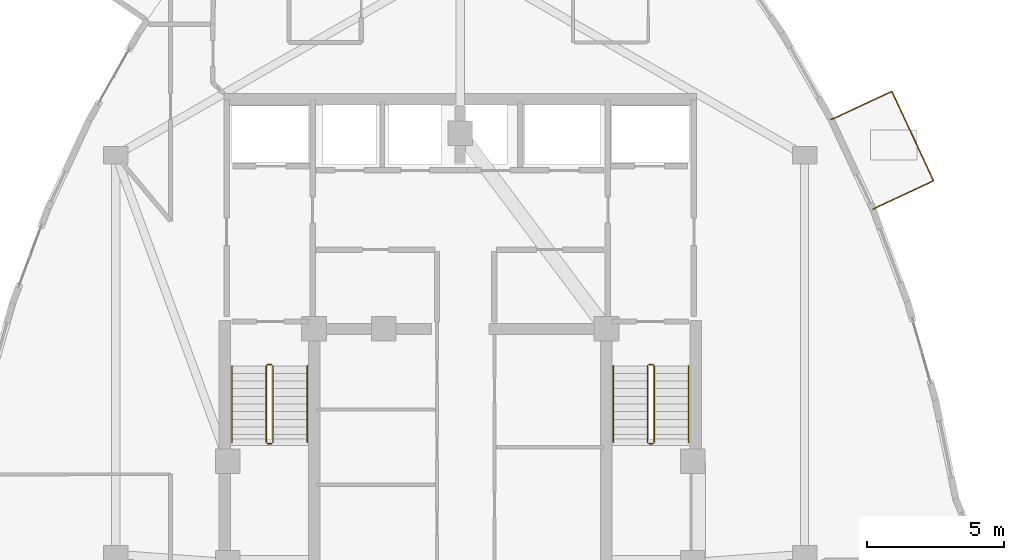
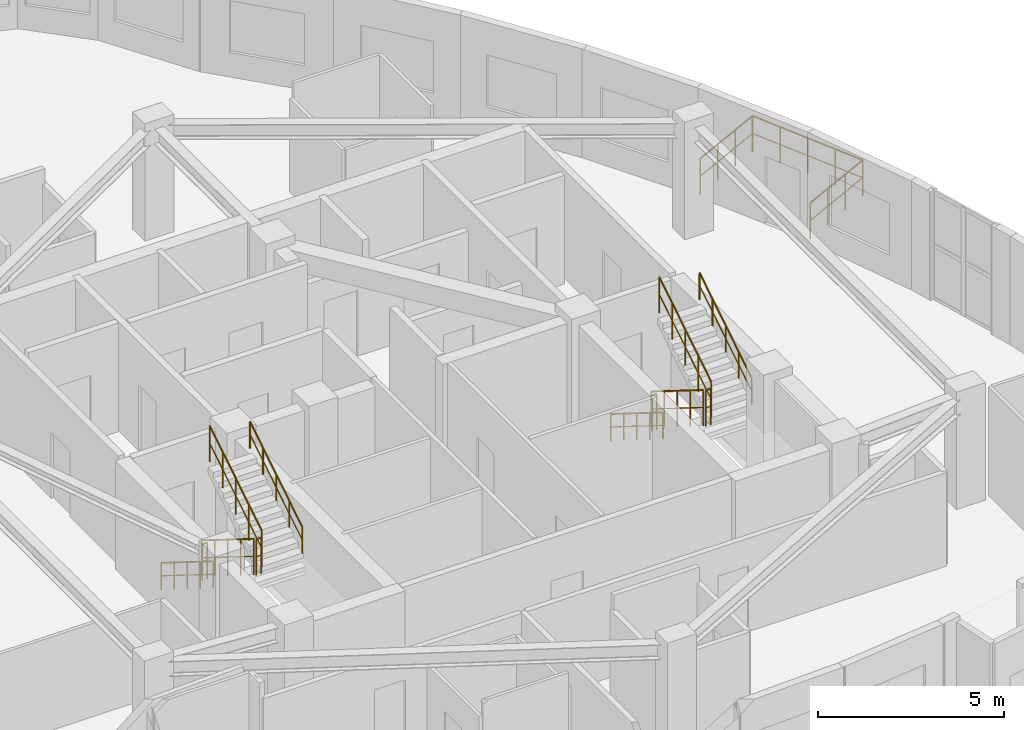
# One storey, part 16 of 16: 13 railings.
"""IFC4 building model written with IfcOpenShell, lengths in metres."""

from ifc_helpers import new_model, si_unit, direction, frame, origin, origin_2d, place, context, subcontext, project, spatial, circle, extrude, material, type_object, element, save


model = new_model("IFC4")

# Units and contexts
model_context = context("Model", 3, precision=1e-05, world=origin(), true_north=direction((0.0, 1.0)))
body_context = subcontext(model_context, "Body", "Model", "MODEL_VIEW")
ifc_project = project(units=[si_unit("LENGTHUNIT", "METRE"), si_unit("AREAUNIT", "SQUARE_METRE"), si_unit("VOLUMEUNIT", "CUBIC_METRE"), si_unit("PLANEANGLEUNIT", "RADIAN"), si_unit("MASSUNIT", "GRAM", prefix="KILO")], contexts=[model_context])

# Site, building, storey
site_placement = place(None, origin())
site = spatial("IfcSite", under=ifc_project, at=site_placement, CompositionType="ELEMENT")
building_placement = place(site_placement, origin())
building = spatial("IfcBuilding", under=site, at=building_placement, Name="Miruveldt Soraemaru", CompositionType="ELEMENT")
storey_placement = place(building_placement, frame((0.0, 0.0, 271.25)))
storey = spatial("IfcBuildingStorey", under=building, at=storey_placement, Name="L74", CompositionType="ELEMENT", Elevation=271.25)

# Railings
ifc_material_1 = material(Name="Anodised aluminium EN AW-6063 T6", Category="aluminium")
railing_type_1 = type_object("IfcRailingType", Name="RAIL-BAL-1200", PredefinedType="BALUSTRADE", material=ifc_material_1)
railing_1_placement = place(storey_placement, frame((59.098388671875, 48.430908203125, 0.0)))
element("IfcRailing", 1, at=railing_1_placement, inside=storey, type_object=railing_type_1, Name="L74 Sky Garden Deck Guardrail", PredefinedType="BALUSTRADE", context=body_context, shape_type="SweptSolid", body=[
    extrude(circle(Radius=0.02392578125, at=origin_2d()), frame((0.0, 0.0, 1.17578125), z_axis=(0.906460420415, 0.422290783964, 0.0), x_axis=(-0.422290783964, 0.906460420415, 0.0)), (0.0, 0.0, 1.0), 2.4501953125),
    extrude(circle(Radius=0.01611328125, at=origin_2d()), frame((0.0, 0.0, 0.60009765625), z_axis=(0.906460420415, 0.422290783964, 0.0), x_axis=(-0.422290783964, 0.906460420415, 0.0)), (0.0, 0.0, 1.0), 2.4501953125),
    extrude(circle(Radius=0.02392578125, at=origin_2d()), frame((2.220947265625, 1.03466796875, 1.17578125), z_axis=(-0.422289948012, 0.906460809858, 0.0), x_axis=(-0.906460809858, -0.422289948012, 0.0)), (0.0, 0.0, 1.0), 3.614013671875),
    extrude(circle(Radius=0.01611328125, at=origin_2d()), frame((2.220947265625, 1.03466796875, 0.60009765625), z_axis=(-0.422289948012, 0.906460809858, 0.0), x_axis=(-0.906460809858, -0.422289948012, 0.0)), (0.0, 0.0, 1.0), 3.614013671875),
    extrude(circle(Radius=0.02392578125, at=origin_2d()), frame((0.69482421875, 4.310546875, 1.17578125), z_axis=(-0.906442648563, -0.422328929706, 0.0), x_axis=(0.422328929706, -0.906442648563, 0.0)), (0.0, 0.0, 1.0), 2.449951171875),
    extrude(circle(Radius=0.01611328125, at=origin_2d()), frame((0.69482421875, 4.310546875, 0.60009765625), z_axis=(-0.906442648563, -0.422328929706, 0.0), x_axis=(0.422328929706, -0.906442648563, 0.0)), (0.0, 0.0, 1.0), 2.449951171875),
    extrude(circle(Radius=0.02099609375, at=origin_2d()), origin(), (0.0, 0.0, 1.0), 1.15185546875),
    extrude(circle(Radius=0.02099609375, at=origin_2d()), frame((0.740234375, 0.344970703125, 0.0)), (0.0, 0.0, 1.0), 1.15185546875),
    extrude(circle(Radius=0.02099609375, at=origin_2d()), frame((1.480712890625, 0.689697265625, 0.0)), (0.0, 0.0, 1.0), 1.15185546875),
    extrude(circle(Radius=0.02099609375, at=origin_2d()), frame((2.220947265625, 1.03466796875, 0.0)), (0.0, 0.0, 1.0), 1.15185546875),
    extrude(circle(Radius=0.02099609375, at=origin_2d()), frame((1.83935546875, 1.853515625, 0.0)), (0.0, 0.0, 1.0), 1.15185546875),
    extrude(circle(Radius=0.02099609375, at=origin_2d()), frame((1.4580078125, 2.672607421875, 0.0)), (0.0, 0.0, 1.0), 1.15185546875),
    extrude(circle(Radius=0.02099609375, at=origin_2d()), frame((1.076416015625, 3.49169921875, 0.0)), (0.0, 0.0, 1.0), 1.15185546875),
    extrude(circle(Radius=0.02099609375, at=origin_2d()), frame((0.69482421875, 4.310546875, 0.0)), (0.0, 0.0, 1.0), 1.15185546875),
    extrude(circle(Radius=0.02099609375, at=origin_2d()), frame((-0.04541015625, 3.965576171875, 0.0)), (0.0, 0.0, 1.0), 1.15185546875),
    extrude(circle(Radius=0.02099609375, at=origin_2d()), frame((-0.78564453125, 3.620849609375, 0.0)), (0.0, 0.0, 1.0), 1.15185546875),
    extrude(circle(Radius=0.02099609375, at=origin_2d()), frame((-1.52587890625, 3.27587890625, 0.0)), (0.0, 0.0, 1.0), 1.15185546875),
])
ifc_material_2 = material(Name="Steel S355 (355 MPa)", Category="steel")
railing_type_2 = type_object("IfcRailingType", Name="RAIL-HR-900", PredefinedType="HANDRAIL", material=ifc_material_2)
railing_2_placement = place(storey_placement, frame((35.64990234375, 42.699951171875, 0.175048828125)))
element("IfcRailing", 2, at=railing_2_placement, inside=storey, type_object=railing_type_2, Name="L74 ST-1 stair handrail 1", PredefinedType="HANDRAIL", context=body_context, shape_type="SweptSolid", body=[
    extrude(circle(Radius=0.02392578125, at=origin_2d()), frame((0.0, 0.0, 0.8759765625), z_axis=(0.0, -0.848002457836, 0.529992293815), x_axis=(1.0, 0.0, 0.0)), (0.0, 0.0, 1.0), 3.302001953125),
    extrude(circle(Radius=0.01611328125, at=origin_2d()), frame((0.0, 0.0, 0.449951171875), z_axis=(0.0, -0.848002457836, 0.529992293815), x_axis=(1.0, 0.0, 0.0)), (0.0, 0.0, 1.0), 3.302001953125),
    extrude(circle(Radius=0.02099609375, at=origin_2d()), origin(), (0.0, 0.0, 1.0), 0.851806640625),
    extrude(circle(Radius=0.02099609375, at=origin_2d()), frame((0.0, -0.699951171875, 0.4375)), (0.0, 0.0, 1.0), 0.851806640625),
    extrude(circle(Radius=0.02099609375, at=origin_2d()), frame((0.0, -1.39990234375, 0.875)), (0.0, 0.0, 1.0), 0.851806640625),
    extrude(circle(Radius=0.02099609375, at=origin_2d()), frame((0.0, -2.10009765625, 1.3125)), (0.0, 0.0, 1.0), 0.851806640625),
    extrude(circle(Radius=0.02099609375, at=origin_2d()), frame((0.0, -2.800048828125, 1.75)), (0.0, 0.0, 1.0), 0.851806640625),
])
railing_3_placement = place(storey_placement, frame((38.39990234375, 39.89990234375, 2.10009765625)))
element("IfcRailing", 3, at=railing_3_placement, inside=storey, type_object=railing_type_2, Name="L74 ST-1 stair handrail 2", PredefinedType="HANDRAIL", context=body_context, shape_type="SweptSolid", body=[
    extrude(circle(Radius=0.02392578125, at=origin_2d()), frame((0.0, 0.0, 0.8759765625), z_axis=(0.0, 0.848002457836, 0.529992293815), x_axis=(-1.0, 0.0, 0.0)), (0.0, 0.0, 1.0), 3.302001953125),
    extrude(circle(Radius=0.01611328125, at=origin_2d()), frame((0.0, 0.0, 0.449951171875), z_axis=(0.0, 0.848002457836, 0.529992293815), x_axis=(-1.0, 0.0, 0.0)), (0.0, 0.0, 1.0), 3.302001953125),
    extrude(circle(Radius=0.02099609375, at=origin_2d()), origin(), (0.0, 0.0, 1.0), 0.851806640625),
    extrude(circle(Radius=0.02099609375, at=origin_2d()), frame((0.0, 0.699951171875, 0.4375)), (0.0, 0.0, 1.0), 0.851806640625),
    extrude(circle(Radius=0.02099609375, at=origin_2d()), frame((0.0, 1.39990234375, 0.875)), (0.0, 0.0, 1.0), 0.851806640625),
    extrude(circle(Radius=0.02099609375, at=origin_2d()), frame((0.0, 2.10009765625, 1.3125)), (0.0, 0.0, 1.0), 0.851806640625),
    extrude(circle(Radius=0.02099609375, at=origin_2d()), frame((0.0, 2.800048828125, 1.75)), (0.0, 0.0, 1.0), 0.851806640625),
])
railing_4_placement = place(storey_placement, frame((49.60009765625, 42.699951171875, 0.175048828125)))
element("IfcRailing", 4, at=railing_4_placement, inside=storey, type_object=railing_type_2, Name="L74 ST-2 stair handrail 1", PredefinedType="HANDRAIL", context=body_context, shape_type="SweptSolid", body=[
    extrude(circle(Radius=0.02392578125, at=origin_2d()), frame((0.0, 0.0, 0.8759765625), z_axis=(0.0, -0.848002457836, 0.529992293815), x_axis=(1.0, 0.0, 0.0)), (0.0, 0.0, 1.0), 3.302001953125),
    extrude(circle(Radius=0.01611328125, at=origin_2d()), frame((0.0, 0.0, 0.449951171875), z_axis=(0.0, -0.848002457836, 0.529992293815), x_axis=(1.0, 0.0, 0.0)), (0.0, 0.0, 1.0), 3.302001953125),
    extrude(circle(Radius=0.02099609375, at=origin_2d()), origin(), (0.0, 0.0, 1.0), 0.851806640625),
    extrude(circle(Radius=0.02099609375, at=origin_2d()), frame((0.0, -0.699951171875, 0.4375)), (0.0, 0.0, 1.0), 0.851806640625),
    extrude(circle(Radius=0.02099609375, at=origin_2d()), frame((0.0, -1.39990234375, 0.875)), (0.0, 0.0, 1.0), 0.851806640625),
    extrude(circle(Radius=0.02099609375, at=origin_2d()), frame((0.0, -2.10009765625, 1.3125)), (0.0, 0.0, 1.0), 0.851806640625),
    extrude(circle(Radius=0.02099609375, at=origin_2d()), frame((0.0, -2.800048828125, 1.75)), (0.0, 0.0, 1.0), 0.851806640625),
])
railing_5_placement = place(storey_placement, frame((52.35009765625, 39.89990234375, 2.10009765625)))
element("IfcRailing", 5, at=railing_5_placement, inside=storey, type_object=railing_type_2, Name="L74 ST-2 stair handrail 2", PredefinedType="HANDRAIL", context=body_context, shape_type="SweptSolid", body=[
    extrude(circle(Radius=0.02392578125, at=origin_2d()), frame((0.0, 0.0, 0.8759765625), z_axis=(0.0, 0.848002457836, 0.529992293815), x_axis=(-1.0, 0.0, 0.0)), (0.0, 0.0, 1.0), 3.302001953125),
    extrude(circle(Radius=0.01611328125, at=origin_2d()), frame((0.0, 0.0, 0.449951171875), z_axis=(0.0, 0.848002457836, 0.529992293815), x_axis=(-1.0, 0.0, 0.0)), (0.0, 0.0, 1.0), 3.302001953125),
    extrude(circle(Radius=0.02099609375, at=origin_2d()), origin(), (0.0, 0.0, 1.0), 0.851806640625),
    extrude(circle(Radius=0.02099609375, at=origin_2d()), frame((0.0, 0.699951171875, 0.4375)), (0.0, 0.0, 1.0), 0.851806640625),
    extrude(circle(Radius=0.02099609375, at=origin_2d()), frame((0.0, 1.39990234375, 0.875)), (0.0, 0.0, 1.0), 0.851806640625),
    extrude(circle(Radius=0.02099609375, at=origin_2d()), frame((0.0, 2.10009765625, 1.3125)), (0.0, 0.0, 1.0), 0.851806640625),
    extrude(circle(Radius=0.02099609375, at=origin_2d()), frame((0.0, 2.800048828125, 1.75)), (0.0, 0.0, 1.0), 0.851806640625),
])
railing_type_3 = type_object("IfcRailingType", Name="RAIL-STGUARD-1200", PredefinedType="GUARDRAIL", material=ifc_material_2)
railing_6_placement = place(storey_placement, frame((36.89990234375, 42.699951171875, 0.175048828125)))
element("IfcRailing", 6, at=railing_6_placement, inside=storey, type_object=railing_type_3, Name="L74 ST-1 stair guard 1", PredefinedType="GUARDRAIL", context=body_context, shape_type="SweptSolid", body=[
    extrude(circle(Radius=0.02392578125, at=origin_2d()), frame((0.0, 0.0, 1.17578125), z_axis=(0.0, -0.848002457836, 0.529992293815), x_axis=(1.0, 0.0, 0.0)), (0.0, 0.0, 1.0), 3.302001953125),
    extrude(circle(Radius=0.01611328125, at=origin_2d()), frame((0.0, 0.0, 0.60009765625), z_axis=(0.0, -0.848002457836, 0.529992293815), x_axis=(1.0, 0.0, 0.0)), (0.0, 0.0, 1.0), 3.302001953125),
    extrude(circle(Radius=0.02099609375, at=origin_2d()), origin(), (0.0, 0.0, 1.0), 1.15185546875),
    extrude(circle(Radius=0.02099609375, at=origin_2d()), frame((0.0, -0.699951171875, 0.4375)), (0.0, 0.0, 1.0), 1.15185546875),
    extrude(circle(Radius=0.02099609375, at=origin_2d()), frame((0.0, -1.39990234375, 0.875)), (0.0, 0.0, 1.0), 1.15185546875),
    extrude(circle(Radius=0.02099609375, at=origin_2d()), frame((0.0, -2.10009765625, 1.3125)), (0.0, 0.0, 1.0), 1.15185546875),
    extrude(circle(Radius=0.02099609375, at=origin_2d()), frame((0.0, -2.800048828125, 1.75)), (0.0, 0.0, 1.0), 1.15185546875),
])
railing_7_placement = place(storey_placement, frame((36.949951171875, 39.85009765625, 1.925048828125)))
element("IfcRailing", 7, at=railing_7_placement, inside=storey, type_object=railing_type_3, Name="L74 ST-1 stair guard 2", PredefinedType="GUARDRAIL", context=body_context, shape_type="SweptSolid", body=[
    extrude(circle(Radius=0.02392578125, at=origin_2d()), frame((0.0, 0.0, 1.17578125), z_axis=(1.0, 0.0, 0.0), x_axis=(0.0, 1.0, 0.0)), (0.0, 0.0, 1.0), 0.150146484375),
    extrude(circle(Radius=0.01611328125, at=origin_2d()), frame((0.0, 0.0, 0.60009765625), z_axis=(1.0, 0.0, 0.0), x_axis=(0.0, 1.0, 0.0)), (0.0, 0.0, 1.0), 0.150146484375),
    extrude(circle(Radius=0.02099609375, at=origin_2d()), origin(), (0.0, 0.0, 1.0), 1.15185546875),
    extrude(circle(Radius=0.02099609375, at=origin_2d()), frame((0.150146484375, 0.0, 0.0)), (0.0, 0.0, 1.0), 1.15185546875),
])
railing_8_placement = place(storey_placement, frame((37.14990234375, 39.89990234375, 2.10009765625)))
element("IfcRailing", 8, at=railing_8_placement, inside=storey, type_object=railing_type_3, Name="L74 ST-1 stair guard 3", PredefinedType="GUARDRAIL", context=body_context, shape_type="SweptSolid", body=[
    extrude(circle(Radius=0.02392578125, at=origin_2d()), frame((0.0, 0.0, 1.17578125), z_axis=(0.0, 0.848002457836, 0.529992293815), x_axis=(-1.0, 0.0, 0.0)), (0.0, 0.0, 1.0), 3.302001953125),
    extrude(circle(Radius=0.01611328125, at=origin_2d()), frame((0.0, 0.0, 0.60009765625), z_axis=(0.0, 0.848002457836, 0.529992293815), x_axis=(-1.0, 0.0, 0.0)), (0.0, 0.0, 1.0), 3.302001953125),
    extrude(circle(Radius=0.02099609375, at=origin_2d()), origin(), (0.0, 0.0, 1.0), 1.15185546875),
    extrude(circle(Radius=0.02099609375, at=origin_2d()), frame((0.0, 0.699951171875, 0.4375)), (0.0, 0.0, 1.0), 1.15185546875),
    extrude(circle(Radius=0.02099609375, at=origin_2d()), frame((0.0, 1.39990234375, 0.875)), (0.0, 0.0, 1.0), 1.15185546875),
    extrude(circle(Radius=0.02099609375, at=origin_2d()), frame((0.0, 2.10009765625, 1.3125)), (0.0, 0.0, 1.0), 1.15185546875),
    extrude(circle(Radius=0.02099609375, at=origin_2d()), frame((0.0, 2.800048828125, 1.75)), (0.0, 0.0, 1.0), 1.15185546875),
])
railing_9_placement = place(storey_placement, frame((36.949951171875, 42.75, 0.0)))
element("IfcRailing", 9, at=railing_9_placement, inside=storey, type_object=railing_type_3, Name="L74 ST-1 stair guard 4", PredefinedType="GUARDRAIL", context=body_context, shape_type="SweptSolid", body=[
    extrude(circle(Radius=0.02392578125, at=origin_2d()), frame((0.0, 0.0, 1.17578125), z_axis=(1.0, 0.0, 0.0), x_axis=(0.0, 1.0, 0.0)), (0.0, 0.0, 1.0), 0.150146484375),
    extrude(circle(Radius=0.01611328125, at=origin_2d()), frame((0.0, 0.0, 0.60009765625), z_axis=(1.0, 0.0, 0.0), x_axis=(0.0, 1.0, 0.0)), (0.0, 0.0, 1.0), 0.150146484375),
    extrude(circle(Radius=0.02099609375, at=origin_2d()), origin(), (0.0, 0.0, 1.0), 1.15185546875),
    extrude(circle(Radius=0.02099609375, at=origin_2d()), frame((0.150146484375, 0.0, 0.0)), (0.0, 0.0, 1.0), 1.15185546875),
])
railing_10_placement = place(storey_placement, frame((50.85009765625, 42.699951171875, 0.175048828125)))
element("IfcRailing", 10, at=railing_10_placement, inside=storey, type_object=railing_type_3, Name="L74 ST-2 stair guard 1", PredefinedType="GUARDRAIL", context=body_context, shape_type="SweptSolid", body=[
    extrude(circle(Radius=0.02392578125, at=origin_2d()), frame((0.0, 0.0, 1.17578125), z_axis=(0.0, -0.848002457836, 0.529992293815), x_axis=(1.0, 0.0, 0.0)), (0.0, 0.0, 1.0), 3.302001953125),
    extrude(circle(Radius=0.01611328125, at=origin_2d()), frame((0.0, 0.0, 0.60009765625), z_axis=(0.0, -0.848002457836, 0.529992293815), x_axis=(1.0, 0.0, 0.0)), (0.0, 0.0, 1.0), 3.302001953125),
    extrude(circle(Radius=0.02099609375, at=origin_2d()), origin(), (0.0, 0.0, 1.0), 1.15185546875),
    extrude(circle(Radius=0.02099609375, at=origin_2d()), frame((0.0, -0.699951171875, 0.4375)), (0.0, 0.0, 1.0), 1.15185546875),
    extrude(circle(Radius=0.02099609375, at=origin_2d()), frame((0.0, -1.39990234375, 0.875)), (0.0, 0.0, 1.0), 1.15185546875),
    extrude(circle(Radius=0.02099609375, at=origin_2d()), frame((0.0, -2.10009765625, 1.3125)), (0.0, 0.0, 1.0), 1.15185546875),
    extrude(circle(Radius=0.02099609375, at=origin_2d()), frame((0.0, -2.800048828125, 1.75)), (0.0, 0.0, 1.0), 1.15185546875),
])
railing_11_placement = place(storey_placement, frame((50.89990234375, 39.85009765625, 1.925048828125)))
element("IfcRailing", 11, at=railing_11_placement, inside=storey, type_object=railing_type_3, Name="L74 ST-2 stair guard 2", PredefinedType="GUARDRAIL", context=body_context, shape_type="SweptSolid", body=[
    extrude(circle(Radius=0.02392578125, at=origin_2d()), frame((0.0, 0.0, 1.17578125), z_axis=(1.0, 0.0, 0.0), x_axis=(0.0, 1.0, 0.0)), (0.0, 0.0, 1.0), 0.150146484375),
    extrude(circle(Radius=0.01611328125, at=origin_2d()), frame((0.0, 0.0, 0.60009765625), z_axis=(1.0, 0.0, 0.0), x_axis=(0.0, 1.0, 0.0)), (0.0, 0.0, 1.0), 0.150146484375),
    extrude(circle(Radius=0.02099609375, at=origin_2d()), origin(), (0.0, 0.0, 1.0), 1.15185546875),
    extrude(circle(Radius=0.02099609375, at=origin_2d()), frame((0.150146484375, 0.0, 0.0)), (0.0, 0.0, 1.0), 1.15185546875),
])
railing_12_placement = place(storey_placement, frame((51.10009765625, 39.89990234375, 2.10009765625)))
element("IfcRailing", 12, at=railing_12_placement, inside=storey, type_object=railing_type_3, Name="L74 ST-2 stair guard 3", PredefinedType="GUARDRAIL", context=body_context, shape_type="SweptSolid", body=[
    extrude(circle(Radius=0.02392578125, at=origin_2d()), frame((0.0, 0.0, 1.17578125), z_axis=(0.0, 0.848002457836, 0.529992293815), x_axis=(-1.0, 0.0, 0.0)), (0.0, 0.0, 1.0), 3.302001953125),
    extrude(circle(Radius=0.01611328125, at=origin_2d()), frame((0.0, 0.0, 0.60009765625), z_axis=(0.0, 0.848002457836, 0.529992293815), x_axis=(-1.0, 0.0, 0.0)), (0.0, 0.0, 1.0), 3.302001953125),
    extrude(circle(Radius=0.02099609375, at=origin_2d()), origin(), (0.0, 0.0, 1.0), 1.15185546875),
    extrude(circle(Radius=0.02099609375, at=origin_2d()), frame((0.0, 0.699951171875, 0.4375)), (0.0, 0.0, 1.0), 1.15185546875),
    extrude(circle(Radius=0.02099609375, at=origin_2d()), frame((0.0, 1.39990234375, 0.875)), (0.0, 0.0, 1.0), 1.15185546875),
    extrude(circle(Radius=0.02099609375, at=origin_2d()), frame((0.0, 2.10009765625, 1.3125)), (0.0, 0.0, 1.0), 1.15185546875),
    extrude(circle(Radius=0.02099609375, at=origin_2d()), frame((0.0, 2.800048828125, 1.75)), (0.0, 0.0, 1.0), 1.15185546875),
])
railing_13_placement = place(storey_placement, frame((50.89990234375, 42.75, 0.0)))
element("IfcRailing", 13, at=railing_13_placement, inside=storey, type_object=railing_type_3, Name="L74 ST-2 stair guard 4", PredefinedType="GUARDRAIL", context=body_context, shape_type="SweptSolid", body=[
    extrude(circle(Radius=0.02392578125, at=origin_2d()), frame((0.0, 0.0, 1.17578125), z_axis=(1.0, 0.0, 0.0), x_axis=(0.0, 1.0, 0.0)), (0.0, 0.0, 1.0), 0.150146484375),
    extrude(circle(Radius=0.01611328125, at=origin_2d()), frame((0.0, 0.0, 0.60009765625), z_axis=(1.0, 0.0, 0.0), x_axis=(0.0, 1.0, 0.0)), (0.0, 0.0, 1.0), 0.150146484375),
    extrude(circle(Radius=0.02099609375, at=origin_2d()), origin(), (0.0, 0.0, 1.0), 1.15185546875),
    extrude(circle(Radius=0.02099609375, at=origin_2d()), frame((0.150146484375, 0.0, 0.0)), (0.0, 0.0, 1.0), 1.15185546875),
])

save(model, "model.ifc")
